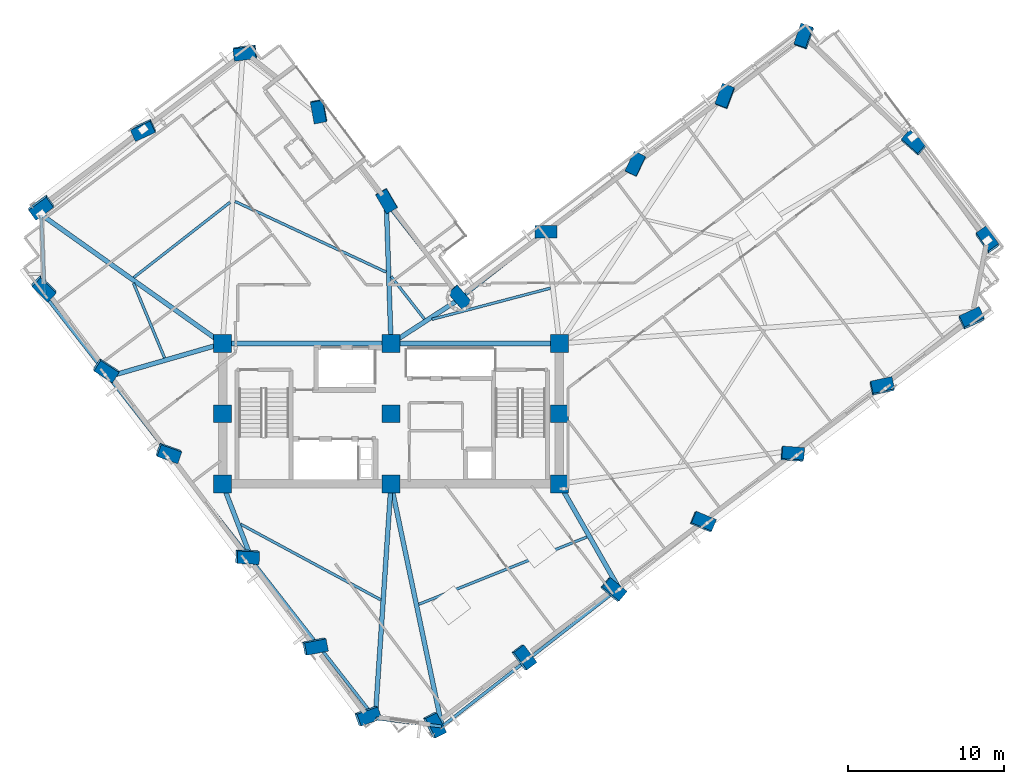
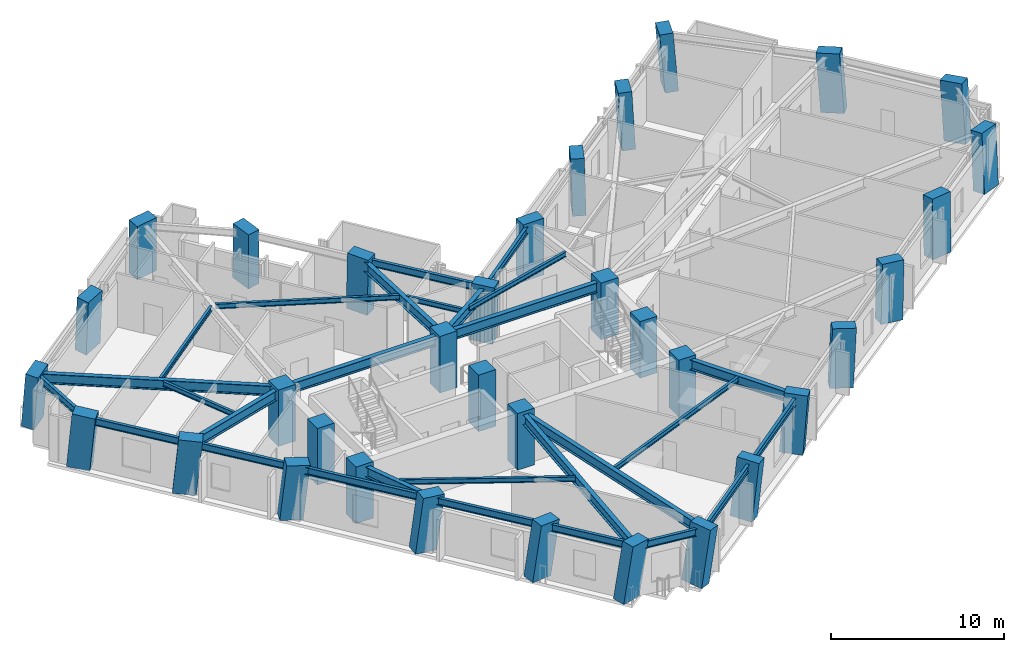
# One storey, part 1 of 15: 34 columns, 28 beams.
"""IFC4 building model written with IfcOpenShell, lengths in metres."""

from ifc_helpers import new_model, si_unit, direction, frame, origin, origin_2d, place, context, subcontext, project, spatial, rectangle, i_section, extrude, material, material_profile, profile_set, type_object, element, save


model = new_model("IFC4")

# Units and contexts
model_context = context("Model", 3, precision=1e-05, world=origin(), true_north=direction((0.0, 1.0)))
body_context = subcontext(model_context, "Body", "Model", "MODEL_VIEW")
ifc_project = project(units=[si_unit("LENGTHUNIT", "METRE"), si_unit("AREAUNIT", "SQUARE_METRE"), si_unit("VOLUMEUNIT", "CUBIC_METRE"), si_unit("PLANEANGLEUNIT", "RADIAN"), si_unit("MASSUNIT", "GRAM", prefix="KILO")], contexts=[model_context])

# Site, building, storey
site_placement = place(None, origin())
site = spatial("IfcSite", under=ifc_project, at=site_placement, CompositionType="ELEMENT")
building_placement = place(site_placement, origin())
building = spatial("IfcBuilding", under=site, at=building_placement, Name="Gaonmaruhae Medical Tower", CompositionType="ELEMENT")
storey_placement = place(building_placement, frame((0.0, 0.0, 181.800048828125)))
storey = spatial("IfcBuildingStorey", under=building, at=storey_placement, Name="L43", CompositionType="ELEMENT", Elevation=181.800048828125)

# Columns
ifc_material_1 = material(Name="Concrete C50/60", Category="concrete")
ifc_material_profile_1 = material_profile(ifc_material_1, rectangle(XDim=1.14990234375, YDim=1.14990234375, at=origin_2d()), Name="RC-1150x1150")
ifc_profile_set_1 = profile_set([ifc_material_profile_1], Name="Concrete C50/60")
column_type_1 = type_object("IfcColumnType", Name="CC-04 Zone 3 Core Column (RC-1150x1150)", PredefinedType="COLUMN", material=ifc_profile_set_1)
for number, where, z_axis, x_axis, name in (
    (1, (14.0, 7.800048828125, 0.0), (0.0, 0.0, 1.0), (1.0, 0.0, 0.0), "L43 Plumb Core Column CC11"),
    (2, (14.0, 12.300048828125, 0.0), (0.0, 0.0, 1.0), (1.0, 0.0, 0.0), "L43 Plumb Core Column CC12"),
    (3, (14.0, 16.800048828125, 0.0), (0.0, 0.0, 1.0), (1.0, 0.0, 0.0), "L43 Plumb Core Column CC13"),
    (4, (24.800048828125, 7.800048828125, 0.0), (0.0, 0.0, 1.0), (1.0, 0.0, 0.0), "L43 Plumb Core Column CC21"),
    (5, (24.800048828125, 12.300048828125, 0.0), (0.0, 0.0, 1.0), (1.0, 0.0, 0.0), "L43 Plumb Core Column CC22"),
    (6, (24.800048828125, 16.800048828125, 0.0), (0.0, 0.0, 1.0), (1.0, 0.0, 0.0), "L43 Plumb Core Column CC23"),
    (7, (35.60009765625, 7.800048828125, 0.0), (0.0, 0.0, 1.0), (1.0, 0.0, 0.0), "L43 Plumb Core Column CC31"),
    (8, (35.60009765625, 12.300048828125, 0.0), (0.0, 0.0, 1.0), (1.0, 0.0, 0.0), "L43 Plumb Core Column CC32"),
    (9, (35.60009765625, 16.800048828125, 0.0), (0.0, 0.0, 1.0), (1.0, 0.0, 0.0), "L43 Plumb Core Column CC33"),
):
    element("IfcColumn", number, at=place(storey_placement, frame(where, z_axis=z_axis, x_axis=x_axis)), inside=storey, type_object=column_type_1, Name=name, PredefinedType="COLUMN", context=body_context, shape_type="SweptSolid", body=[
        extrude(rectangle(XDim=1.14990234375, YDim=1.14990234375, at=origin_2d()), origin(), (0.0, 0.0, 1.0), 4.0),
    ])
ifc_material_2 = material(Name="Concrete C60/75", Category="concrete")
ifc_material_profile_2 = material_profile(ifc_material_2, rectangle(XDim=1.39990234375, YDim=0.800048828125, at=origin_2d()), Name="RC-1400x800")
ifc_profile_set_2 = profile_set([ifc_material_profile_2], Name="Concrete C60/75")
column_type_2 = type_object("IfcColumnType", Name="TC-02 Mid Raking Tube Pier Column (RC-1400x800)", PredefinedType="COLUMN", material=ifc_profile_set_2)
column_1_placement = place(storey_placement, frame((27.5322265625, -7.6591796875, 0.001708984375), z_axis=(0.133521549336, -0.023847457134, 0.990758948812), x_axis=(-0.447319812344, 0.890632700007, 0.081721350714)))
element("IfcColumn", 10, at=column_1_placement, inside=storey, type_object=column_type_2, Name="L43 Perimeter Tube Column S01", PredefinedType="COLUMN", context=body_context, shape_type="SweptSolid", body=[
    extrude(rectangle(XDim=1.39990234375, YDim=0.800048828125, at=origin_2d()), origin(), (0.0, 0.0, 1.0), 4.03369140625),
])
column_2_placement = place(storey_placement, frame((33.278564453125, -3.321044921875, 0.001708984375), z_axis=(0.115777922292, -0.000364081517, 0.993275057652), x_axis=(-0.595947151631, 0.799988017166, 0.06975790173)))
element("IfcColumn", 11, at=column_2_placement, inside=storey, type_object=column_type_2, Name="L43 Perimeter Tube Column S02", PredefinedType="COLUMN", context=body_context, shape_type="SweptSolid", body=[
    extrude(rectangle(XDim=1.39990234375, YDim=0.800048828125, at=origin_2d()), origin(), (0.0, 0.0, 1.0), 4.0234375),
])
column_3_placement = place(storey_placement, frame((39.02490234375, 1.01708984375, 0.001708984375), z_axis=(0.09791826999, 0.023157579681, 0.994924991598), x_axis=(-0.767046942776, 0.638720341276, 0.060624361585)))
element("IfcColumn", 12, at=column_3_placement, inside=storey, type_object=column_type_2, Name="L43 Perimeter Tube Column S03", PredefinedType="COLUMN", context=body_context, shape_type="SweptSolid", body=[
    extrude(rectangle(XDim=1.39990234375, YDim=0.800048828125, at=origin_2d()), origin(), (0.0, 0.0, 1.0), 4.0166015625),
])
column_4_placement = place(storey_placement, frame((44.771240234375, 5.355224609375, 0.001708984375), z_axis=(0.079868491855, 0.046716680689, 0.995710086197), x_axis=(-0.920806126537, 0.386015680716, 0.055749184517)))
element("IfcColumn", 13, at=column_4_placement, inside=storey, type_object=column_type_2, Name="L43 Perimeter Tube Column S04", PredefinedType="COLUMN", context=body_context, shape_type="SweptSolid", body=[
    extrude(rectangle(XDim=1.39990234375, YDim=0.800048828125, at=origin_2d()), origin(), (0.0, 0.0, 1.0), 4.013671875),
])
column_5_placement = place(storey_placement, frame((50.517578125, 9.693115234375, 0.001708984375), z_axis=(0.061795746377, 0.070371730864, 0.995604894135), x_axis=(-0.995519092087, 0.075879665536, 0.05642706485)))
element("IfcColumn", 14, at=column_5_placement, inside=storey, type_object=column_type_2, Name="L43 Perimeter Tube Column S05", PredefinedType="COLUMN", context=body_context, shape_type="SweptSolid", body=[
    extrude(rectangle(XDim=1.39990234375, YDim=0.800048828125, at=origin_2d()), origin(), (0.0, 0.0, 1.0), 4.013916015625),
])
column_6_placement = place(storey_placement, frame((56.26416015625, 14.03125, 0.001708984375), z_axis=(0.04356733554, 0.093818641665, 0.994635586408), x_axis=(-0.97627215668, -0.207384521289, 0.062324444817)))
element("IfcColumn", 15, at=column_6_placement, inside=storey, type_object=column_type_2, Name="L43 Perimeter Tube Column S06", PredefinedType="COLUMN", context=body_context, shape_type="SweptSolid", body=[
    extrude(rectangle(XDim=1.39990234375, YDim=0.800048828125, at=origin_2d()), origin(), (0.0, 0.0, 1.0), 4.017822265625),
])
column_7_placement = place(storey_placement, frame((62.010498046875, 18.369384765625, 0.001708984375), z_axis=(0.025473116254, 0.117176334771, 0.992784380879), x_axis=(-0.906962067297, -0.414969728359, 0.072249104005)))
element("IfcColumn", 16, at=column_7_placement, inside=storey, type_object=column_type_2, Name="L43 Perimeter Tube Column S07", PredefinedType="COLUMN", context=body_context, shape_type="SweptSolid", body=[
    extrude(rectangle(XDim=1.39990234375, YDim=0.800048828125, at=origin_2d()), origin(), (0.0, 0.0, 1.0), 4.025390625),
])
column_8_placement = place(storey_placement, frame((63.03466796875, 23.40283203125, 0.001708984375), z_axis=(0.004729946846, 0.121159407662, 0.992621793806), x_axis=(0.571149109369, -0.815121976711, 0.09677219616)))
element("IfcColumn", 17, at=column_8_placement, inside=storey, type_object=column_type_2, Name="L43 Perimeter Tube Column E01", PredefinedType="COLUMN", context=body_context, shape_type="SweptSolid", body=[
    extrude(rectangle(XDim=1.39990234375, YDim=0.800048828125, at=origin_2d()), origin(), (0.0, 0.0, 1.0), 4.026123046875),
])
column_9_placement = place(storey_placement, frame((58.3349609375, 29.6279296875, 0.001708984375), z_axis=(-0.02078000134, 0.101834158611, 0.994584333118), x_axis=(0.749053879138, -0.657295694235, 0.082949722659)))
element("IfcColumn", 18, at=column_9_placement, inside=storey, type_object=column_type_2, Name="L43 Perimeter Tube Column E02", PredefinedType="COLUMN", context=body_context, shape_type="SweptSolid", body=[
    extrude(rectangle(XDim=1.39990234375, YDim=0.800048828125, at=origin_2d()), origin(), (0.0, 0.0, 1.0), 4.01806640625),
])
column_10_placement = place(storey_placement, frame((51.293212890625, 36.4658203125, 0.001708984375), z_axis=(-0.048746278721, 0.072662992251, 0.996164589748), x_axis=(-0.328408762811, -0.943063285479, 0.052719295244)))
element("IfcColumn", 19, at=column_10_placement, inside=storey, type_object=column_type_2, Name="L43 Perimeter Tube Column E03", PredefinedType="COLUMN", context=body_context, shape_type="SweptSolid", body=[
    extrude(rectangle(XDim=1.39990234375, YDim=0.800048828125, at=origin_2d()), origin(), (0.0, 0.0, 1.0), 4.01171875),
])
column_11_placement = place(storey_placement, frame((46.225341796875, 32.639892578125, 0.001708984375), z_axis=(-0.032865817855, 0.051951162918, 0.998108668777), x_axis=(-0.352963227401, -0.934903778512, 0.037038966322)))
element("IfcColumn", 20, at=column_11_placement, inside=storey, type_object=column_type_2, Name="L43 Perimeter Tube Column EN01", PredefinedType="COLUMN", context=body_context, shape_type="SweptSolid", body=[
    extrude(rectangle(XDim=1.39990234375, YDim=0.800048828125, at=origin_2d()), origin(), (0.0, 0.0, 1.0), 4.00390625),
])
column_12_placement = place(storey_placement, frame((40.47900390625, 28.3017578125, 0.001708984375), z_axis=(-0.014715421442, 0.028392825604, 0.999488521108), x_axis=(-0.431491023148, -0.90191143544, 0.019268097068)))
element("IfcColumn", 21, at=column_12_placement, inside=storey, type_object=column_type_2, Name="L43 Perimeter Tube Column EN02", PredefinedType="COLUMN", context=body_context, shape_type="SweptSolid", body=[
    extrude(rectangle(XDim=1.39990234375, YDim=0.800048828125, at=origin_2d()), origin(), (0.0, 0.0, 1.0), 3.998291015625),
])
column_13_placement = place(storey_placement, frame((34.732666015625, 23.963623046875, 0.001708984375), z_axis=(0.003421042992, 0.004703934114, 0.999983084591), x_axis=(-0.999834730592, -0.017839011426, 0.003504450412)))
element("IfcColumn", 22, at=column_13_placement, inside=storey, type_object=column_type_2, Name="L43 Perimeter Tube Column EN03", PredefinedType="COLUMN", context=body_context, shape_type="SweptSolid", body=[
    extrude(rectangle(XDim=1.39990234375, YDim=0.800048828125, at=origin_2d()), origin(), (0.0, 0.0, 1.0), 3.996337890625),
])
column_14_placement = place(storey_placement, frame((29.185791015625, 19.776123046875, 0.001708984375), z_axis=(0.020946197976, -0.018137086877, 0.999616077737), x_axis=(-0.657890555794, 0.752613449927, 0.027441056587)))
element("IfcColumn", 23, at=column_14_placement, inside=storey, type_object=column_type_2, Name="L43 Perimeter Tube Column KN01", PredefinedType="COLUMN", context=body_context, shape_type="SweptSolid", body=[
    extrude(rectangle(XDim=1.39990234375, YDim=0.800048828125, at=origin_2d()), origin(), (0.0, 0.0, 1.0), 3.997802734375),
])
column_15_placement = place(storey_placement, frame((24.516357421875, 25.96142578125, 0.001708984375), z_axis=(-0.004517486263, -0.037666067894, 0.999280170747), x_axis=(-0.503252595216, 0.863608778527, 0.030277104545)))
element("IfcColumn", 24, at=column_15_placement, inside=storey, type_object=column_type_2, Name="L43 Perimeter Tube Column NE01", PredefinedType="COLUMN", context=body_context, shape_type="SweptSolid", body=[
    extrude(rectangle(XDim=1.39990234375, YDim=0.800048828125, at=origin_2d()), origin(), (0.0, 0.0, 1.0), 3.999267578125),
])
column_16_placement = place(storey_placement, frame((20.17822265625, 31.707763671875, 0.001708984375), z_axis=(-0.028107984408, -0.055789166449, 0.998046847658), x_axis=(-0.179673360041, 0.982462048739, 0.049857862766)))
element("IfcColumn", 25, at=column_16_placement, inside=storey, type_object=column_type_2, Name="L43 Perimeter Tube Column NE02", PredefinedType="COLUMN", context=body_context, shape_type="SweptSolid", body=[
    extrude(rectangle(XDim=1.39990234375, YDim=0.800048828125, at=origin_2d()), origin(), (0.0, 0.0, 1.0), 4.004150390625),
])
column_17_placement = place(storey_placement, frame((15.456298828125, 35.472900390625, 0.001708984375), z_axis=(-0.043453933632, -0.075283635719, 0.996214901437), x_axis=(0.991285786254, 0.120869992287, 0.05237303634)))
element("IfcColumn", 26, at=column_17_placement, inside=storey, type_object=column_type_2, Name="L43 Perimeter Tube Column N01", PredefinedType="COLUMN", context=body_context, shape_type="SweptSolid", body=[
    extrude(rectangle(XDim=1.39990234375, YDim=0.800048828125, at=origin_2d()), origin(), (0.0, 0.0, 1.0), 4.011474609375),
])
column_18_placement = place(storey_placement, frame((8.911865234375, 30.5322265625, 0.001708984375), z_axis=(-0.022783812004, -0.101949964112, 0.994528583163), x_axis=(0.909585631227, 0.41072177351, 0.06294127605)))
element("IfcColumn", 27, at=column_18_placement, inside=storey, type_object=column_type_2, Name="L43 Perimeter Tube Column N02", PredefinedType="COLUMN", context=body_context, shape_type="SweptSolid", body=[
    extrude(rectangle(XDim=1.39990234375, YDim=0.800048828125, at=origin_2d()), origin(), (0.0, 0.0, 1.0), 4.018310546875),
])
column_19_placement = place(storey_placement, frame((2.367431640625, 25.591552734375, 0.001708984375), z_axis=(-0.002181074788, -0.128380485457, 0.991722589168), x_axis=(0.808144834717, 0.583881033112, 0.077361911126)))
element("IfcColumn", 28, at=column_19_placement, inside=storey, type_object=column_type_2, Name="L43 Perimeter Tube Column N03", PredefinedType="COLUMN", context=body_context, shape_type="SweptSolid", body=[
    extrude(rectangle(XDim=1.39990234375, YDim=0.800048828125, at=origin_2d()), origin(), (0.0, 0.0, 1.0), 4.02978515625),
])
column_20_placement = place(storey_placement, frame((2.53369140625, 20.39208984375, 0.001708984375), z_axis=(0.019204163449, -0.127522915018, 0.991649689281), x_axis=(-0.713651640755, 0.692898113321, 0.102924925082)))
element("IfcColumn", 29, at=column_20_placement, inside=storey, type_object=column_type_2, Name="L43 Perimeter Tube Column W01", PredefinedType="COLUMN", context=body_context, shape_type="SweptSolid", body=[
    extrude(rectangle(XDim=1.39990234375, YDim=0.800048828125, at=origin_2d()), origin(), (0.0, 0.0, 1.0), 4.030029296875),
])
column_21_placement = place(storey_placement, frame((6.51025390625, 15.12451171875, 0.001708984375), z_axis=(0.040764575419, -0.111131997272, 0.992969248554), x_axis=(-0.838574209491, 0.536533215554, 0.094474355164)))
element("IfcColumn", 30, at=column_21_placement, inside=storey, type_object=column_type_2, Name="L43 Perimeter Tube Column W02", PredefinedType="COLUMN", context=body_context, shape_type="SweptSolid", body=[
    extrude(rectangle(XDim=1.39990234375, YDim=0.800048828125, at=origin_2d()), origin(), (0.0, 0.0, 1.0), 4.024658203125),
])
column_22_placement = place(storey_placement, frame((10.51708984375, 9.817138671875, 0.001708984375), z_axis=(0.062518185007, -0.094566341982, 0.993553563482), x_axis=(-0.939913893398, 0.329204870009, 0.090476663063)))
element("IfcColumn", 31, at=column_22_placement, inside=storey, type_object=column_type_2, Name="L43 Perimeter Tube Column W03", PredefinedType="COLUMN", context=body_context, shape_type="SweptSolid", body=[
    extrude(rectangle(XDim=1.39990234375, YDim=0.800048828125, at=origin_2d()), origin(), (0.0, 0.0, 1.0), 4.022216796875),
])
column_23_placement = place(storey_placement, frame((15.548095703125, 3.153076171875, 0.001708984375), z_axis=(0.089743068704, -0.073602665543, 0.993241576478), x_axis=(-0.995018915551, 0.036830647695, 0.092632937367)))
element("IfcColumn", 32, at=column_23_placement, inside=storey, type_object=column_type_2, Name="L43 Perimeter Tube Column W04", PredefinedType="COLUMN", context=body_context, shape_type="SweptSolid", body=[
    extrude(rectangle(XDim=1.39990234375, YDim=0.800048828125, at=origin_2d()), origin(), (0.0, 0.0, 1.0), 4.0234375),
])
column_24_placement = place(storey_placement, frame((19.88623046875, -2.59326171875, 0.001708984375), z_axis=(0.113088138102, -0.05545318669, 0.992036298281), x_axis=(-0.97615676938, -0.192387442335, 0.100523796318)))
element("IfcColumn", 33, at=column_24_placement, inside=storey, type_object=column_type_2, Name="L43 Perimeter Tube Column W05", PredefinedType="COLUMN", context=body_context, shape_type="SweptSolid", body=[
    extrude(rectangle(XDim=1.39990234375, YDim=0.800048828125, at=origin_2d()), origin(), (0.0, 0.0, 1.0), 4.0283203125),
])
column_25_placement = place(storey_placement, frame((23.26025390625, -7.062744140625, 0.001708984375), z_axis=(0.131186363926, -0.041389055777, 0.99049335383), x_axis=(-0.935174722932, -0.33674133387, 0.109788485976)))
element("IfcColumn", 34, at=column_25_placement, inside=storey, type_object=column_type_2, Name="L43 Perimeter Tube Column W06", PredefinedType="COLUMN", context=body_context, shape_type="SweptSolid", body=[
    extrude(rectangle(XDim=1.39990234375, YDim=0.800048828125, at=origin_2d()), origin(), (0.0, 0.0, 1.0), 4.03466796875),
])

# Beams
ifc_material_3 = material(Name="Steel SM355", Category="steel")
ifc_material_profile_3 = material_profile(ifc_material_3, i_section(OverallWidth=0.175048828125, OverallDepth=0.35009765625, WebThickness=0.007080078125, FlangeThickness=0.010986328125, FilletRadius=0.012939453125, at=origin_2d()), Name="H-350x175x7x11")
ifc_profile_set_3 = profile_set([ifc_material_profile_3], Name="Steel SM355")
beam_type_1 = type_object("IfcBeamType", Name="FJ-02 Upper Zone Ward Floor Joist (H-350x175x7x11)", PredefinedType="JOIST", material=ifc_profile_set_3)
beam_1_placement = place(storey_placement, frame((26.58251953125, 0.0810546875, 3.60498046875), z_axis=(0.928380962119, 0.37162990888, 0.0), x_axis=(-0.37162990888, 0.928380962119, 0.0)))
element("IfcBeam", 35, at=beam_1_placement, inside=storey, type_object=beam_type_1, Name="L43 Secondary Floor Joist FJ01", PredefinedType="JOIST", context=body_context, shape_type="SweptSolid", body=[
    extrude(i_section(OverallWidth=0.175048828125, OverallDepth=0.35009765625, WebThickness=0.007080078125, FlangeThickness=0.010986328125, FilletRadius=0.012939453125, at=origin_2d()), origin(), (0.0, 0.0, 1.0), 11.612060546875),
])
beam_2_placement = place(storey_placement, frame((35.020751953125, 20.35107421875, 3.60498046875), z_axis=(-0.967145344214, -0.254224080616, 0.0), x_axis=(0.254224080616, -0.967145344214, 0.0)))
element("IfcBeam", 36, at=beam_2_placement, inside=storey, type_object=beam_type_1, Name="L43 Secondary Floor Joist FJ07", PredefinedType="JOIST", context=body_context, shape_type="SweptSolid", body=[
    extrude(i_section(OverallWidth=0.175048828125, OverallDepth=0.35009765625, WebThickness=0.007080078125, FlangeThickness=0.010986328125, FilletRadius=0.012939453125, at=origin_2d()), origin(), (0.0, 0.0, 1.0), 7.8564453125),
])
beam_3_placement = place(storey_placement, frame((26.9384765625, 18.375244140625, 3.60498046875), z_axis=(-0.615698848132, 0.787981553343, 0.0), x_axis=(-0.787981553343, -0.615698848132, 0.0)))
element("IfcBeam", 37, at=beam_3_placement, inside=storey, type_object=beam_type_1, Name="L43 Secondary Floor Joist FJ08", PredefinedType="JOIST", context=body_context, shape_type="SweptSolid", body=[
    extrude(i_section(OverallWidth=0.175048828125, OverallDepth=0.35009765625, WebThickness=0.007080078125, FlangeThickness=0.010986328125, FilletRadius=0.012939453125, at=origin_2d()), origin(), (0.0, 0.0, 1.0), 3.457763671875),
])
beam_4_placement = place(storey_placement, frame((24.4912109375, 21.379150390625, 3.60498046875), z_axis=(-0.905848493725, 0.423601825323, 0.0), x_axis=(-0.423601825323, -0.905848493725, 0.0)))
element("IfcBeam", 38, at=beam_4_placement, inside=storey, type_object=beam_type_1, Name="L43 Secondary Floor Joist FJ09", PredefinedType="JOIST", context=body_context, shape_type="SweptSolid", body=[
    extrude(i_section(OverallWidth=0.175048828125, OverallDepth=0.35009765625, WebThickness=0.007080078125, FlangeThickness=0.010986328125, FilletRadius=0.012939453125, at=origin_2d()), origin(), (0.0, 0.0, 1.0), 10.707275390625),
])
beam_5_placement = place(storey_placement, frame((14.477294921875, 25.857421875, 3.60498046875), z_axis=(-0.788020591834, -0.615648882762, 0.0), x_axis=(0.615648882762, -0.788020591834, 0.0)))
element("IfcBeam", 39, at=beam_5_placement, inside=storey, type_object=beam_type_1, Name="L43 Secondary Floor Joist FJ10", PredefinedType="JOIST", context=body_context, shape_type="SweptSolid", body=[
    extrude(i_section(OverallWidth=0.175048828125, OverallDepth=0.35009765625, WebThickness=0.007080078125, FlangeThickness=0.010986328125, FilletRadius=0.012939453125, at=origin_2d()), origin(), (0.0, 0.0, 1.0), 7.82958984375),
])
beam_6_placement = place(storey_placement, frame((8.289794921875, 20.67041015625, 3.60498046875), z_axis=(0.383411027625, -0.923577816914, 0.0), x_axis=(0.923577816914, 0.383411027625, 0.0)))
element("IfcBeam", 40, at=beam_6_placement, inside=storey, type_object=beam_type_1, Name="L43 Secondary Floor Joist FJ11", PredefinedType="JOIST", context=body_context, shape_type="SweptSolid", body=[
    extrude(i_section(OverallWidth=0.175048828125, OverallDepth=0.35009765625, WebThickness=0.007080078125, FlangeThickness=0.010986328125, FilletRadius=0.012939453125, at=origin_2d()), origin(), (0.0, 0.0, 1.0), 5.18310546875),
])
beam_7_placement = place(storey_placement, frame((15.1630859375, 5.2158203125, 3.60498046875), z_axis=(0.879930596882, -0.475102246544, 0.0), x_axis=(0.475102246544, 0.879930596882, 0.0)))
element("IfcBeam", 41, at=beam_7_placement, inside=storey, type_object=beam_type_1, Name="L43 Secondary Floor Joist FJ13", PredefinedType="JOIST", context=body_context, shape_type="SweptSolid", body=[
    extrude(i_section(OverallWidth=0.175048828125, OverallDepth=0.35009765625, WebThickness=0.007080078125, FlangeThickness=0.010986328125, FilletRadius=0.012939453125, at=origin_2d()), origin(), (0.0, 0.0, 1.0), 10.20703125),
])
ifc_material_4 = material(Name="Steel SM420", Category="steel")
ifc_material_profile_4 = material_profile(ifc_material_4, i_section(OverallWidth=0.300048828125, OverallDepth=0.699951171875, WebThickness=0.012939453125, FlangeThickness=0.02392578125, FilletRadius=0.01806640625, at=origin_2d()), Name="H-700x300x13x24")
ifc_profile_set_4 = profile_set([ifc_material_profile_4], Name="Steel SM420")
beam_type_2 = type_object("IfcBeamType", Name="PG-03 Zone 3 Radial Floor Girder (H-700x300x13x24)", PredefinedType="BEAM", material=ifc_profile_set_4)
for number, where, z_axis, x_axis, name in (
    (42, (14.050048828125, 16.800048828125, 3.429931640625), (1.0, 0.0, 0.0), (0.0, 1.0, 0.0), "L43 Beam BM-L43-CG-N1"),
    (43, (24.85009765625, 16.800048828125, 3.429931640625), (1.0, 0.0, 0.0), (0.0, 1.0, 0.0), "L43 Beam BM-L43-CG-N2"),
):
    element("IfcBeam", number, at=place(storey_placement, frame(where, z_axis=z_axis, x_axis=x_axis)), inside=storey, type_object=beam_type_2, Name=name, PredefinedType="BEAM", context=body_context, shape_type="SweptSolid", body=[
        extrude(i_section(OverallWidth=0.300048828125, OverallDepth=0.699951171875, WebThickness=0.012939453125, FlangeThickness=0.02392578125, FilletRadius=0.01806640625, at=origin_2d()), origin(), (0.0, 0.0, 1.0), 10.699951171875),
    ])
beam_8_placement = place(storey_placement, frame((24.810302734375, 7.7509765625, 3.429931640625), z_axis=(0.205784576452, -0.978597316619, 0.0), x_axis=(0.978597316619, 0.205784576452, 0.0)))
element("IfcBeam", 44, at=beam_8_placement, inside=storey, type_object=beam_type_2, Name="L43 Radial Primary Girder S01", PredefinedType="BEAM", context=body_context, shape_type="SweptSolid", body=[
    extrude(i_section(OverallWidth=0.300048828125, OverallDepth=0.699951171875, WebThickness=0.012939453125, FlangeThickness=0.02392578125, FilletRadius=0.01806640625, at=origin_2d()), origin(), (0.0, 0.0, 1.0), 15.795654296875),
])
beam_9_placement = place(storey_placement, frame((35.624755859375, 7.756591796875, 3.429931640625), z_axis=(0.495706605471, -0.868490046743, 0.0), x_axis=(0.868490046743, 0.495706605471, 0.0)))
element("IfcBeam", 45, at=beam_9_placement, inside=storey, type_object=beam_type_2, Name="L43 Radial Primary Girder S03", PredefinedType="BEAM", context=body_context, shape_type="SweptSolid", body=[
    extrude(i_section(OverallWidth=0.300048828125, OverallDepth=0.699951171875, WebThickness=0.012939453125, FlangeThickness=0.02392578125, FilletRadius=0.01806640625, at=origin_2d()), origin(), (0.0, 0.0, 1.0), 7.602783203125),
])
beam_10_placement = place(storey_placement, frame((24.842041015625, 16.8271484375, 3.429931640625), z_axis=(0.838584370846, 0.54477174392, 0.0), x_axis=(-0.54477174392, 0.838584370846, 0.0)))
element("IfcBeam", 46, at=beam_10_placement, inside=storey, type_object=beam_type_2, Name="L43 Radial Primary Girder KN01", PredefinedType="BEAM", context=body_context, shape_type="SweptSolid", body=[
    extrude(i_section(OverallWidth=0.300048828125, OverallDepth=0.699951171875, WebThickness=0.012939453125, FlangeThickness=0.02392578125, FilletRadius=0.01806640625, at=origin_2d()), origin(), (0.0, 0.0, 1.0), 5.22998046875),
])
beam_11_placement = place(storey_placement, frame((24.79833984375, 16.849853515625, 3.429931640625), z_axis=(-0.033461620425, 0.999440003181, 0.0), x_axis=(-0.999440003181, -0.033461620425, 0.0)))
element("IfcBeam", 47, at=beam_11_placement, inside=storey, type_object=beam_type_2, Name="L43 Radial Primary Girder NE01", PredefinedType="BEAM", context=body_context, shape_type="SweptSolid", body=[
    extrude(i_section(OverallWidth=0.300048828125, OverallDepth=0.699951171875, WebThickness=0.012939453125, FlangeThickness=0.02392578125, FilletRadius=0.01806640625, at=origin_2d()), origin(), (0.0, 0.0, 1.0), 8.915771484375),
])
beam_12_placement = place(storey_placement, frame((13.959228515625, 16.828857421875, 3.429931640625), z_axis=(-0.815102543898, 0.57931670348, 0.0), x_axis=(-0.57931670348, -0.815102543898, 0.0)))
element("IfcBeam", 48, at=beam_12_placement, inside=storey, type_object=beam_type_2, Name="L43 Radial Primary Girder N03", PredefinedType="BEAM", context=body_context, shape_type="SweptSolid", body=[
    extrude(i_section(OverallWidth=0.300048828125, OverallDepth=0.699951171875, WebThickness=0.012939453125, FlangeThickness=0.02392578125, FilletRadius=0.01806640625, at=origin_2d()), origin(), (0.0, 0.0, 1.0), 14.182373046875),
])
beam_13_placement = place(storey_placement, frame((13.951904296875, 16.7861328125, 3.429931640625), z_axis=(-0.96047667235, -0.278360489062, 0.0), x_axis=(0.278360489062, -0.96047667235, 0.0)))
element("IfcBeam", 49, at=beam_13_placement, inside=storey, type_object=beam_type_2, Name="L43 Radial Primary Girder W02", PredefinedType="BEAM", context=body_context, shape_type="SweptSolid", body=[
    extrude(i_section(OverallWidth=0.300048828125, OverallDepth=0.699951171875, WebThickness=0.012939453125, FlangeThickness=0.02392578125, FilletRadius=0.01806640625, at=origin_2d()), origin(), (0.0, 0.0, 1.0), 7.527099609375),
])
beam_14_placement = place(storey_placement, frame((14.01806640625, 7.75341796875, 3.429931640625), z_axis=(0.360312916145, -0.932831497356, 0.0), x_axis=(0.932831497356, 0.360312916145, 0.0)))
element("IfcBeam", 50, at=beam_14_placement, inside=storey, type_object=beam_type_2, Name="L43 Radial Primary Girder W04", PredefinedType="BEAM", context=body_context, shape_type="SweptSolid", body=[
    extrude(i_section(OverallWidth=0.300048828125, OverallDepth=0.699951171875, WebThickness=0.012939453125, FlangeThickness=0.02392578125, FilletRadius=0.01806640625, at=origin_2d()), origin(), (0.0, 0.0, 1.0), 5.198974609375),
])
beam_15_placement = place(storey_placement, frame((24.796630859375, 7.75, 3.429931640625), z_axis=(-0.06705719974, -0.99774913278, 0.0), x_axis=(0.99774913278, -0.06705719974, 0.0)))
element("IfcBeam", 51, at=beam_15_placement, inside=storey, type_object=beam_type_2, Name="L43 Radial Primary Girder W06", PredefinedType="BEAM", context=body_context, shape_type="SweptSolid", body=[
    extrude(i_section(OverallWidth=0.300048828125, OverallDepth=0.699951171875, WebThickness=0.012939453125, FlangeThickness=0.02392578125, FilletRadius=0.01806640625, at=origin_2d()), origin(), (0.0, 0.0, 1.0), 14.963623046875),
])
ifc_material_profile_5 = material_profile(ifc_material_3, i_section(OverallWidth=0.199951171875, OverallDepth=0.5, WebThickness=0.010009765625, FlangeThickness=0.01611328125, FilletRadius=0.012939453125, at=origin_2d()), Name="H-500x200x10x16")
ifc_profile_set_5 = profile_set([ifc_material_profile_5], Name="Steel SM355")
beam_type_3 = type_object("IfcBeamType", Name="SP-02 Upper Perimeter Spandrel Beam (H-500x200x10x16)", PredefinedType="SPANDREL", material=ifc_profile_set_5)
for number, where, z_axis, x_axis, name in (
    (52, (28.1025390625, -7.730712890625, 3.530029296875), (0.788006178546, 0.615667331091, 0.0), (-0.615667331091, 0.788006178546, 0.0), "L43 Perimeter Spandrel Beam S01-S02"),
    (53, (33.776123046875, -3.298095703125, 3.530029296875), (0.788006178546, 0.615667331091, 0.0), (-0.615667331091, 0.788006178546, 0.0), "L43 Perimeter Spandrel Beam S02-S03"),
):
    element("IfcBeam", number, at=place(storey_placement, frame(where, z_axis=z_axis, x_axis=x_axis)), inside=storey, type_object=beam_type_3, Name=name, PredefinedType="SPANDREL", context=body_context, shape_type="SweptSolid", body=[
        extrude(i_section(OverallWidth=0.199951171875, OverallDepth=0.5, WebThickness=0.010009765625, FlangeThickness=0.01611328125, FilletRadius=0.012939453125, at=origin_2d()), origin(), (0.0, 0.0, 1.0), 7.119873046875),
    ])
beam_16_placement = place(storey_placement, frame((34.71484375, 23.957763671875, 3.530029296875), z_axis=(-0.788014675628, -0.615656455334, 0.0), x_axis=(0.615656455334, -0.788014675628, 0.0)))
element("IfcBeam", 54, at=beam_16_placement, inside=storey, type_object=beam_type_3, Name="L43 Perimeter Spandrel Beam EN03-KN01", PredefinedType="SPANDREL", context=body_context, shape_type="SweptSolid", body=[
    extrude(i_section(OverallWidth=0.199951171875, OverallDepth=0.5, WebThickness=0.010009765625, FlangeThickness=0.01611328125, FilletRadius=0.012939453125, at=origin_2d()), origin(), (0.0, 0.0, 1.0), 6.869873046875),
])
beam_17_placement = place(storey_placement, frame((29.2451171875, 19.735107421875, 3.530029296875), z_axis=(-0.615671220356, 0.788003139858, 0.0), x_axis=(-0.788003139858, -0.615671220356, 0.0)))
element("IfcBeam", 55, at=beam_17_placement, inside=storey, type_object=beam_type_3, Name="L43 Perimeter Spandrel Beam KN01-NE01", PredefinedType="SPANDREL", context=body_context, shape_type="SweptSolid", body=[
    extrude(i_section(OverallWidth=0.199951171875, OverallDepth=0.5, WebThickness=0.010009765625, FlangeThickness=0.01611328125, FilletRadius=0.012939453125, at=origin_2d()), origin(), (0.0, 0.0, 1.0), 7.669921875),
])
beam_18_placement = place(storey_placement, frame((2.3603515625, 25.033935546875, 3.530029296875), z_axis=(0.048568306968, -0.998819863418, 0.0), x_axis=(0.998819863418, 0.048568306968, 0.0)))
element("IfcBeam", 56, at=beam_18_placement, inside=storey, type_object=beam_type_3, Name="L43 Perimeter Spandrel Beam N03-W01", PredefinedType="SPANDREL", context=body_context, shape_type="SweptSolid", body=[
    extrude(i_section(OverallWidth=0.199951171875, OverallDepth=0.5, WebThickness=0.010009765625, FlangeThickness=0.01611328125, FilletRadius=0.012939453125, at=origin_2d()), origin(), (0.0, 0.0, 1.0), 5.122314453125),
])
beam_19_placement = place(storey_placement, frame((2.6357421875, 19.846435546875, 3.530029296875), z_axis=(0.615657847872, -0.78801358767, 0.0), x_axis=(0.78801358767, 0.615657847872, 0.0)))
element("IfcBeam", 57, at=beam_19_placement, inside=storey, type_object=beam_type_3, Name="L43 Perimeter Spandrel Beam W01-W02", PredefinedType="SPANDREL", context=body_context, shape_type="SweptSolid", body=[
    extrude(i_section(OverallWidth=0.199951171875, OverallDepth=0.5, WebThickness=0.010009765625, FlangeThickness=0.01611328125, FilletRadius=0.012939453125, at=origin_2d()), origin(), (0.0, 0.0, 1.0), 6.52001953125),
])
beam_20_placement = place(storey_placement, frame((6.698974609375, 14.6455078125, 3.530029296875), z_axis=(0.615662790685, -0.788009725934, 0.0), x_axis=(0.788009725934, 0.615662790685, 0.0)))
element("IfcBeam", 58, at=beam_20_placement, inside=storey, type_object=beam_type_3, Name="L43 Perimeter Spandrel Beam W02-W03", PredefinedType="SPANDREL", context=body_context, shape_type="SweptSolid", body=[
    extrude(i_section(OverallWidth=0.199951171875, OverallDepth=0.5, WebThickness=0.010009765625, FlangeThickness=0.01611328125, FilletRadius=0.012939453125, at=origin_2d()), origin(), (0.0, 0.0, 1.0), 6.570068359375),
])
beam_21_placement = place(storey_placement, frame((10.793212890625, 9.4052734375, 3.530029296875), z_axis=(0.61566409254, -0.788008708807, 0.0), x_axis=(0.788008708807, 0.61566409254, 0.0)))
element("IfcBeam", 59, at=beam_21_placement, inside=storey, type_object=beam_type_3, Name="L43 Perimeter Spandrel Beam W03-W04", PredefinedType="SPANDREL", context=body_context, shape_type="SweptSolid", body=[
    extrude(i_section(OverallWidth=0.199951171875, OverallDepth=0.5, WebThickness=0.010009765625, FlangeThickness=0.01611328125, FilletRadius=0.012939453125, at=origin_2d()), origin(), (0.0, 0.0, 1.0), 8.27001953125),
])
beam_22_placement = place(storey_placement, frame((15.93408203125, 2.8251953125, 3.530029296875), z_axis=(0.615646038246, -0.788022814132, 0.0), x_axis=(0.788022814132, 0.615646038246, 0.0)))
element("IfcBeam", 60, at=beam_22_placement, inside=storey, type_object=beam_type_3, Name="L43 Perimeter Spandrel Beam W04-W05", PredefinedType="SPANDREL", context=body_context, shape_type="SweptSolid", body=[
    extrude(i_section(OverallWidth=0.199951171875, OverallDepth=0.5, WebThickness=0.010009765625, FlangeThickness=0.01611328125, FilletRadius=0.012939453125, at=origin_2d()), origin(), (0.0, 0.0, 1.0), 7.119873046875),
])
beam_23_placement = place(storey_placement, frame((20.36669921875, -2.848388671875, 3.530029296875), z_axis=(0.615656916086, -0.788014315654, 0.0), x_axis=(0.788014315654, 0.615656916086, 0.0)))
element("IfcBeam", 61, at=beam_23_placement, inside=storey, type_object=beam_type_3, Name="L43 Perimeter Spandrel Beam W05-W06", PredefinedType="SPANDREL", context=body_context, shape_type="SweptSolid", body=[
    extrude(i_section(OverallWidth=0.199951171875, OverallDepth=0.5, WebThickness=0.010009765625, FlangeThickness=0.01611328125, FilletRadius=0.012939453125, at=origin_2d()), origin(), (0.0, 0.0, 1.0), 5.52001953125),
])
beam_24_placement = place(storey_placement, frame((23.82958984375, -7.234619140625, 3.530029296875), z_axis=(0.992547004751, -0.12186239518, 0.0), x_axis=(0.12186239518, 0.992547004751, 0.0)))
element("IfcBeam", 62, at=beam_24_placement, inside=storey, type_object=beam_type_3, Name="L43 Perimeter Spandrel Beam W06-S01", PredefinedType="SPANDREL", context=body_context, shape_type="SweptSolid", body=[
    extrude(i_section(OverallWidth=0.199951171875, OverallDepth=0.5, WebThickness=0.010009765625, FlangeThickness=0.01611328125, FilletRadius=0.012939453125, at=origin_2d()), origin(), (0.0, 0.0, 1.0), 4.233154296875),
])

save(model, "model.ifc")
